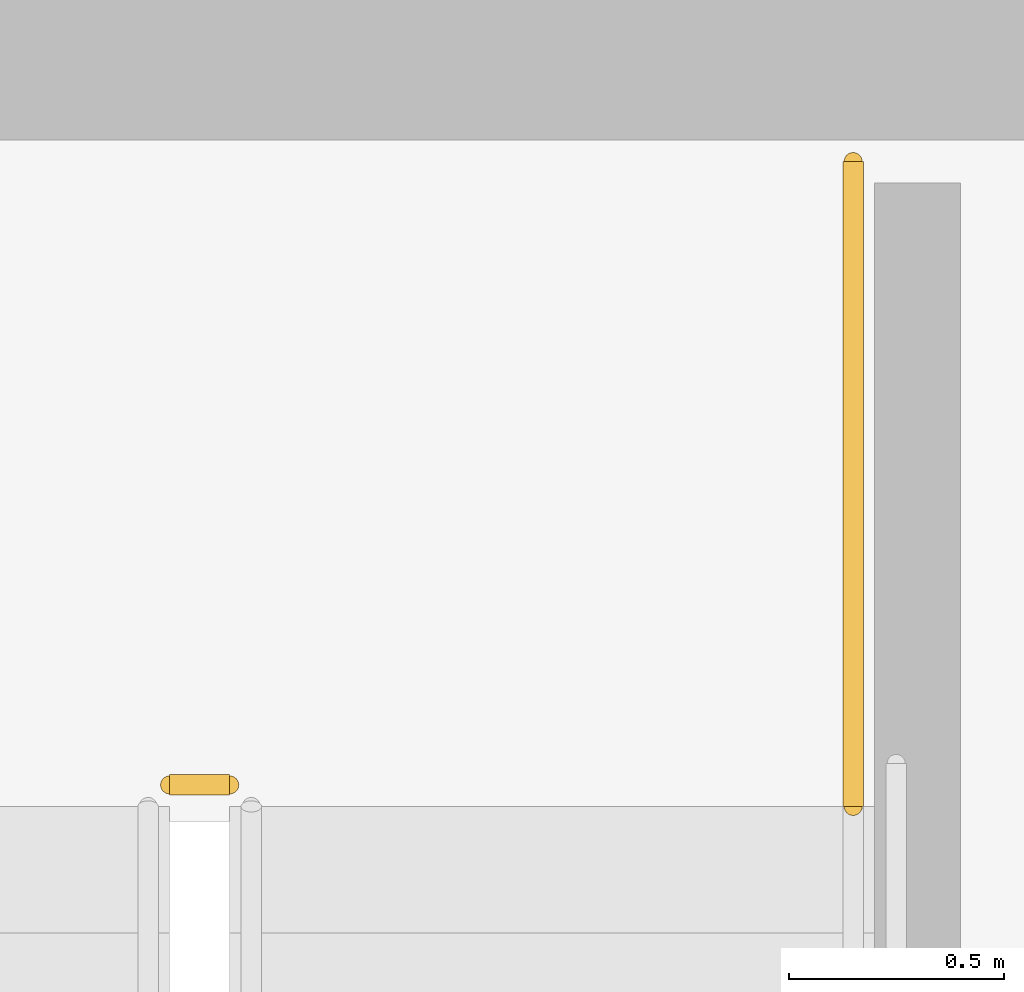
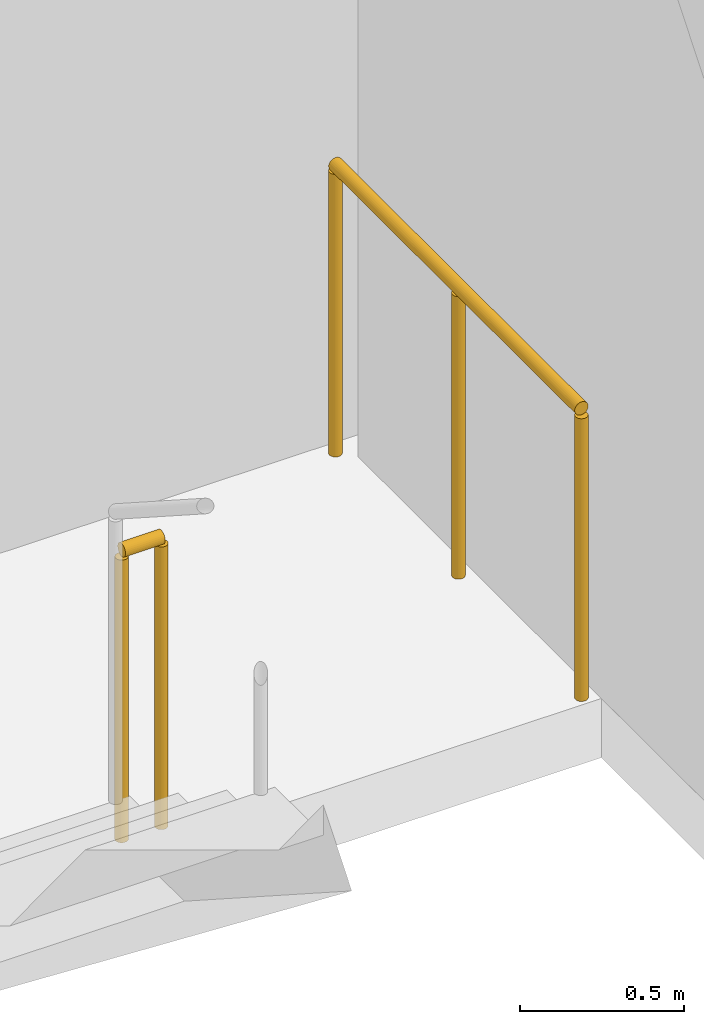
# One storey, part 34 of 35: 2 railings.
"""IFC4 building model written with IfcOpenShell, lengths in metres."""

from ifc_helpers import new_model, si_unit, direction, frame, origin, origin_2d, place, context, subcontext, project, spatial, circle, extrude, material, layer, layer_set, type_object, element, save


model = new_model("IFC4")

# Units and contexts
model_context = context("Model", 3, precision=1e-05, world=origin(), true_north=direction((0.0, 1.0)))
body_context = subcontext(model_context, "Body", "Model", "MODEL_VIEW")
ifc_project = project(units=[si_unit("LENGTHUNIT", "METRE"), si_unit("AREAUNIT", "SQUARE_METRE"), si_unit("VOLUMEUNIT", "CUBIC_METRE"), si_unit("PLANEANGLEUNIT", "RADIAN"), si_unit("MASSUNIT", "GRAM", prefix="KILO")], contexts=[model_context])

# Site, building, storey
site_placement = place(None, origin())
site = spatial("IfcSite", under=ifc_project, at=site_placement, CompositionType="ELEMENT")
building_placement = place(site_placement, origin())
building = spatial("IfcBuilding", under=site, at=building_placement, Name="Ndaravel Arena Tower", CompositionType="ELEMENT")
storey_placement = place(building_placement, frame((0.0, 0.0, 176.39990234375)))
storey = spatial("IfcBuildingStorey", under=building, at=storey_placement, Name="L42", CompositionType="ELEMENT", Elevation=176.39990234375)

# Railings
ifc_material = material(Name="Steel S355", Category="steel")
ifc_layer = layer(ifc_material, 0.06005859375)
ifc_layer_set = layer_set([ifc_layer], Name="Steel S355")
railing_type = type_object("IfcRailingType", Name="RAIL-STAIR-GD1100", PredefinedType="GUARDRAIL", material=ifc_layer_set)
railing_1_placement = place(storey_placement, frame((55.10009765625, 13.300048828125, 0.0)))
element("IfcRailing", 1, at=railing_1_placement, inside=storey, type_object=railing_type, Name="L42 ST-3 stair guard 4", PredefinedType="GUARDRAIL", context=body_context, shape_type="SweptSolid", body=[
    extrude(circle(Radius=0.02392578125, at=origin_2d()), frame((0.0, 0.0, 1.076171875), z_axis=(1.0, 0.0, 0.0), x_axis=(0.0, 1.0, 0.0)), (0.0, 0.0, 1.0), 0.139892578125),
    extrude(circle(Radius=0.02099609375, at=origin_2d()), origin(), (0.0, 0.0, 1.0), 1.052001953125),
    extrude(circle(Radius=0.02099609375, at=origin_2d()), frame((0.139892578125, 0.0, 0.0)), (0.0, 0.0, 1.0), 1.052001953125),
])
railing_2_placement = place(storey_placement, frame((56.68994140625, 14.75, 0.0)))
element("IfcRailing", 2, at=railing_2_placement, inside=storey, type_object=railing_type, Name="L42 ST-3 stair guard 5", PredefinedType="GUARDRAIL", context=body_context, shape_type="SweptSolid", body=[
    extrude(circle(Radius=0.02392578125, at=origin_2d()), frame((0.0, 0.0, 1.076171875), z_axis=(0.0, -1.0, 0.0), x_axis=(1.0, 0.0, 0.0)), (0.0, 0.0, 1.0), 1.5),
    extrude(circle(Radius=0.02099609375, at=origin_2d()), origin(), (0.0, 0.0, 1.0), 1.052001953125),
    extrude(circle(Radius=0.02099609375, at=origin_2d()), frame((0.0, -0.75, 0.0)), (0.0, 0.0, 1.0), 1.052001953125),
    extrude(circle(Radius=0.02099609375, at=origin_2d()), frame((0.0, -1.5, 0.0)), (0.0, 0.0, 1.0), 1.052001953125),
])

save(model, "model.ifc")
